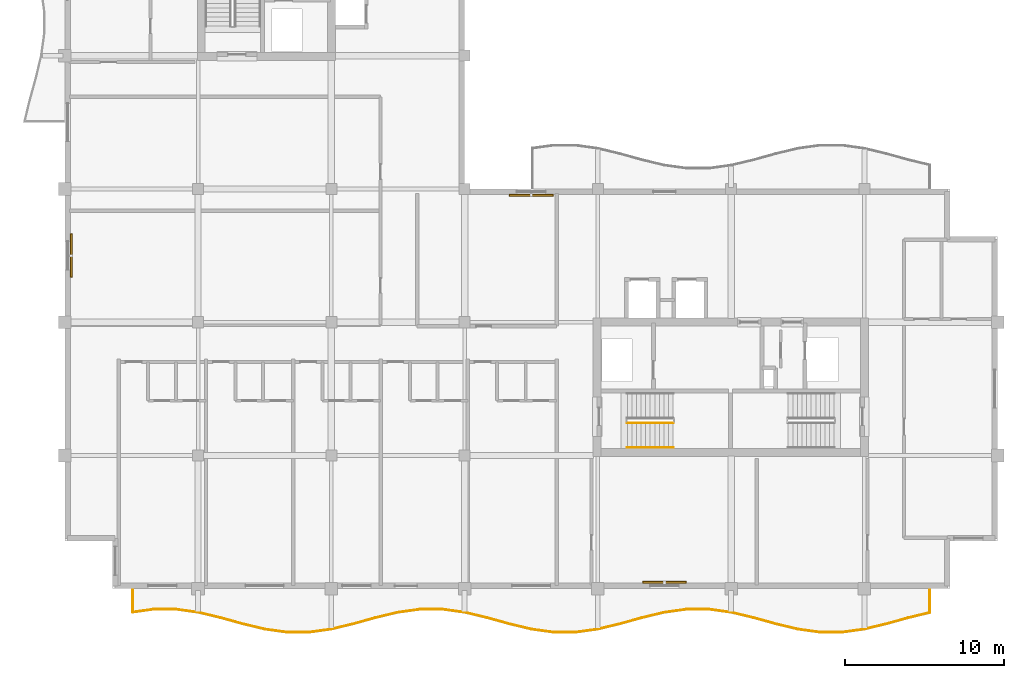
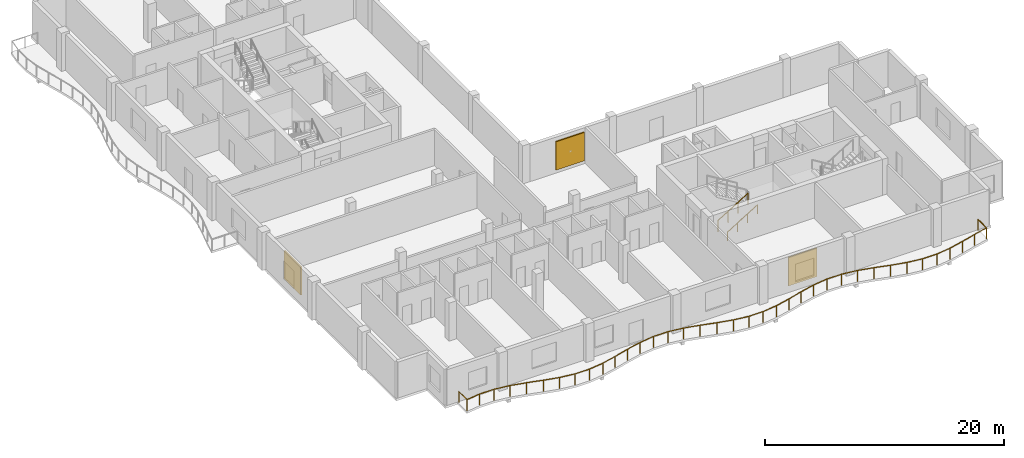
# One storey, part 10 of 12: 3 railings, 3 shading devices.
"""IFC4 building model written with IfcOpenShell, lengths in metres."""

import ifcopenshell
import ifcopenshell.guid

model = None  # the IFC model being written
_history = None  # IfcOwnerHistory: only IFC2X3 demands one
_inside = {}  # id of a spatial element -> (the spatial element, [elements in it])
_under = {}  # id of a project, library or spatial element -> (it, [spatial elements below it])
_declared = {}  # id of a project -> (the project, [libraries it declares])
_typed = {}  # id of a type object -> (the type object, [elements of that type])
_made_of = {}  # id of a material, layer set ... -> (it, [elements and type objects made of it])


def new_model(schema):
    """Start an empty IFC model of exactly this schema.

    Asked for "IFC4X3", IfcOpenShell would pick the latest addendum, in which some entities
    have other attributes; the version numbers below select the first issue.
    IFC2X3 requires an IfcOwnerHistory on every rooted entity: one is made here for all.
    """
    global model, _history
    if schema == "IFC4X3":
        model = ifcopenshell.file(schema_version=(4, 3, 0, 0))
    else:
        model = ifcopenshell.file(schema=schema)
    _inside.clear()
    _under.clear()
    _declared.clear()
    _typed.clear()
    _made_of.clear()
    _history = None
    if model.schema == "IFC2X3":
        org = make("IfcOrganization", Name="unknown")
        user = make(
            "IfcPersonAndOrganization",
            ThePerson=make("IfcPerson", FamilyName="unknown"),
            TheOrganization=org,
        )
        app = make(
            "IfcApplication",
            ApplicationDeveloper=org,
            Version="unknown",
            ApplicationFullName="unknown",
            ApplicationIdentifier="unknown",
        )
        _history = make(
            "IfcOwnerHistory",
            OwningUser=user,
            OwningApplication=app,
            ChangeAction="ADDED",
            CreationDate=0,
        )
    return model


def make(cls, **values):
    """One entity of the class cls with the attributes given. An attribute that is None is left unset."""
    return model.create_entity(
        cls, **{name: value for name, value in values.items() if value is not None}
    )


def rooted(cls, **values):
    """An entity with a GlobalId (a new one), such as an element, a storey or a relation."""
    return make(cls, GlobalId=ifcopenshell.guid.new(), OwnerHistory=_history, **values)


def si_unit(unit_type, name, prefix=None):
    """IfcSIUnit, for example si_unit("LENGTHUNIT", "METRE", prefix="MILLI")."""
    return make("IfcSIUnit", UnitType=unit_type, Prefix=prefix, Name=name)


def assignment(units):
    """IfcUnitAssignment: the units of a project."""
    return None if units is None else make("IfcUnitAssignment", Units=units)


def point(xyz):
    """IfcCartesianPoint."""
    return None if xyz is None else make("IfcCartesianPoint", Coordinates=xyz)


def direction(xyz):
    """IfcDirection."""
    return None if xyz is None else make("IfcDirection", DirectionRatios=xyz)


def frame(location, z_axis=None, x_axis=None):
    """IfcAxis2Placement3D, a coordinate frame: its origin and axes. An axis left out is left unset."""
    return make(
        "IfcAxis2Placement3D",
        Location=point(location),
        Axis=direction(z_axis),
        RefDirection=direction(x_axis),
    )


def frame_2d(location, x_axis=None):
    """IfcAxis2Placement2D, a coordinate frame in the plane: its origin and x axis."""
    return make(
        "IfcAxis2Placement2D", Location=point(location), RefDirection=direction(x_axis)
    )


def origin():
    """The frame at (0, 0, 0) with its axes left unset."""
    return frame((0.0, 0.0, 0.0))


def origin_2d():
    """The frame at (0, 0) in the plane with its x axis left unset."""
    return frame_2d((0.0, 0.0))


def place(relative_to, where):
    """IfcLocalPlacement: puts the frame where relative to a parent placement (None: the world)."""
    return make(
        "IfcLocalPlacement", PlacementRelTo=relative_to, RelativePlacement=where
    )


def context(
    kind, dimensions, precision=None, world=None, true_north=None, identifier=None
):
    """IfcGeometricRepresentationContext, for example the 3D "Model" context."""
    return make(
        "IfcGeometricRepresentationContext",
        ContextIdentifier=identifier,
        ContextType=kind,
        CoordinateSpaceDimension=dimensions,
        Precision=precision,
        WorldCoordinateSystem=world,
        TrueNorth=true_north,
    )


def subcontext(parent, identifier, kind, view, scale=None):
    """IfcGeometricRepresentationSubContext, for example "Body" below "Model"."""
    return make(
        "IfcGeometricRepresentationSubContext",
        ContextIdentifier=identifier,
        ContextType=kind,
        ParentContext=parent,
        TargetScale=scale,
        TargetView=view,
    )


def project(units=None, contexts=None):
    """IfcProject with its units and contexts."""
    return rooted(
        "IfcProject",
        Name="project",
        RepresentationContexts=contexts,
        UnitsInContext=assignment(units),
    )


def spatial(cls, under=None, at=None, **own):
    """A site, building, storey or space (cls), placed at a placement, below another one or the project."""
    s = rooted(cls, ObjectPlacement=at, **own)
    if under is not None:
        _under.setdefault(under.id(), (under, []))[1].append(s)
    return s


def profile(cls, at=None, kind="AREA", **sizes):
    """A parametric profile (cls). Its sizes go by their IFC names, for example OverallWidth=200.0."""
    return make(cls, ProfileType=kind, Position=at, **sizes)


def rectangle(**sizes):
    """IfcRectangleProfileDef."""
    return profile("IfcRectangleProfileDef", **sizes)


def circle(**sizes):
    """IfcCircleProfileDef."""
    return profile("IfcCircleProfileDef", **sizes)


def extrude(swept, where, along, depth):
    """IfcExtrudedAreaSolid: the profile swept, set in the frame where, extruded along a direction by depth."""
    return make(
        "IfcExtrudedAreaSolid",
        SweptArea=swept,
        Position=where,
        ExtrudedDirection=direction(along),
        Depth=depth,
    )


def shape(context_of_items, identifier, shape_type, items):
    """IfcShapeRepresentation: the items that make up one representation, for example the "Body"."""
    return make(
        "IfcShapeRepresentation",
        ContextOfItems=context_of_items,
        RepresentationIdentifier=identifier,
        RepresentationType=shape_type,
        Items=items,
    )


def material(Name=None, Category=None):
    """IfcMaterial."""
    return make("IfcMaterial", Name=Name, Category=Category)


def layer(
    of_material, thickness, ventilated=None, Name=None, Category=None, Priority=None
):
    """IfcMaterialLayer: one layer of a wall or slab, of a material (None: an air gap)."""
    return make(
        "IfcMaterialLayer",
        Material=of_material,
        LayerThickness=thickness,
        IsVentilated=ventilated,
        Name=Name,
        Category=Category,
        Priority=Priority,
    )


def layer_set(layers, Name=None):
    """IfcMaterialLayerSet."""
    return make("IfcMaterialLayerSet", MaterialLayers=layers, LayerSetName=Name)


def made_of(thing, what):
    """Note that an element or type object is made of a material, layer set ...; save() writes the relation."""
    if what is not None:
        _made_of.setdefault(what.id(), (what, []))[1].append(thing)
    return thing


def type_object(cls, material=None, **own):
    """A type object (cls), such as IfcWallType, which elements share."""
    return made_of(rooted(cls, **own), material)


def element(
    cls,
    number,
    at=None,
    inside=None,
    cuts=None,
    type_object=None,
    material=None,
    context=None,
    identifier="Body",
    shape_type=None,
    held_by="IfcProductDefinitionShape",
    body=None,
    shapes=None,
    **own,
):
    """One element of the class cls, such as IfcWall. Its Tag is "e" and its number.

    at: its placement. inside: the storey or other place that contains it. cuts: it is an
    opening in that element (IfcRelVoidsElement). A single representation is given by context,
    identifier, shape_type and body (its items); several are given by shapes. held_by: the class
    of the entity that holds the representations. save() writes the other relations.
    """
    e = rooted(cls, Tag="e%d" % number, ObjectPlacement=at, **own)
    if body is not None:
        shapes = [shape(context, identifier, shape_type, body)]
    if shapes is not None:
        e.Representation = make(held_by, Representations=shapes)
    if inside is not None:
        _inside.setdefault(inside.id(), (inside, []))[1].append(e)
    if cuts is not None:
        rooted(
            "IfcRelVoidsElement", RelatingBuildingElement=cuts, RelatedOpeningElement=e
        )
    if type_object is not None:
        _typed.setdefault(type_object.id(), (type_object, []))[1].append(e)
    return made_of(e, material)


def aggregate(whole, parts):
    """IfcRelAggregates: a whole, such as a stair, and the parts it consists of."""
    return rooted("IfcRelAggregates", RelatingObject=whole, RelatedObjects=parts)


def save(model, path):
    """Write the relations noted so far, then the file.

    IfcRelAggregates (storeys below a building ...), IfcRelContainedInSpatialStructure (elements
    in a storey), IfcRelDefinesByType, IfcRelAssociatesMaterial and IfcRelDeclares: one each for
    every whole, place, type object, material and project.
    """
    for whole, parts in _under.values():
        aggregate(whole, parts)
    for where, things in _inside.values():
        rooted(
            "IfcRelContainedInSpatialStructure",
            RelatedElements=things,
            RelatingStructure=where,
        )
    for kind, things in _typed.values():
        rooted("IfcRelDefinesByType", RelatedObjects=things, RelatingType=kind)
    for what, things in _made_of.values():
        rooted("IfcRelAssociatesMaterial", RelatedObjects=things, RelatingMaterial=what)
    for by, libraries in _declared.values():
        rooted("IfcRelDeclares", RelatingContext=by, RelatedDefinitions=libraries)
    model.write(path)


model = new_model("IFC4")

# Units and contexts
model_context = context("Model", 3, precision=1e-05, world=origin(), true_north=direction((0.0, 1.0)))
body_context = subcontext(model_context, "Body", "Model", "MODEL_VIEW")
ifc_project = project(units=[si_unit("LENGTHUNIT", "METRE"), si_unit("AREAUNIT", "SQUARE_METRE"), si_unit("VOLUMEUNIT", "CUBIC_METRE"), si_unit("PLANEANGLEUNIT", "RADIAN"), si_unit("MASSUNIT", "GRAM", prefix="KILO")], contexts=[model_context])

# Site, building, storey
site_placement = place(None, origin())
site = spatial("IfcSite", under=ifc_project, at=site_placement, CompositionType="ELEMENT")
building_placement = place(site_placement, origin())
building = spatial("IfcBuilding", under=site, at=building_placement, Name="Koriwani Terraces Tower", CompositionType="ELEMENT")
storey_placement = place(building_placement, frame((0.0, 0.0, 351.5)))
storey = spatial("IfcBuildingStorey", under=building, at=storey_placement, Name="L87", CompositionType="ELEMENT", Elevation=351.5)

# Railings
ifc_material_1 = material(Name="Steel ASTM A572 Grade 50", Category="steel")
railing_type_1 = type_object("IfcRailingType", Name="GUARD_BALUSTRADE_1150", PredefinedType="BALUSTRADE", material=ifc_material_1)
railing_1_placement = place(storey_placement, frame((12.679931640625, 8.320068359375, 0.0)))
element("IfcRailing", 1, at=railing_1_placement, inside=storey, type_object=railing_type_1, Name="L87 Balcony Perimeter Safety Balustrade (S)", PredefinedType="BALUSTRADE", context=body_context, shape_type="SweptSolid", body=[
    extrude(circle(Radius=0.02392578125, at=origin_2d()), frame((0.0, 0.0, 1.1259765625), z_axis=(0.0, -1.0, 0.0), x_axis=(1.0, 0.0, 0.0)), (0.0, 0.0, 1.0), 1.39794921875),
    extrude(circle(Radius=0.02392578125, at=origin_2d()), frame((0.0, -1.39794921875, 1.1259765625), z_axis=(0.99056178386, 0.137066963034, 0.0), x_axis=(-0.137066963034, 0.99056178386, 0.0)), (0.0, 0.0, 1.0), 1.326904296875),
    extrude(circle(Radius=0.02392578125, at=origin_2d()), frame((1.314453125, -1.216064453125, 1.1259765625), z_axis=(1.0, 0.0, 0.0), x_axis=(0.0, 1.0, 0.0)), (0.0, 0.0, 1.0), 1.4111328125),
    extrude(circle(Radius=0.02392578125, at=origin_2d()), frame((2.7255859375, -1.216064453125, 1.1259765625), z_axis=(0.990531206111, -0.137287762455, 0.0), x_axis=(0.137287762455, 0.990531206111, 0.0)), (0.0, 0.0, 1.0), 1.422607421875),
    extrude(circle(Radius=0.02392578125, at=origin_2d()), frame((4.134765625, -1.411376953125, 1.1259765625), z_axis=(0.972404167631, -0.233302667738, 0.0), x_axis=(0.233302667738, 0.972404167631, 0.0)), (0.0, 0.0, 1.0), 1.445068359375),
    extrude(circle(Radius=0.02392578125, at=origin_2d()), frame((5.5400390625, -1.74853515625, 1.1259765625), z_axis=(0.963650193341, -0.26716718525, 0.0), x_axis=(0.26716718525, 0.963650193341, 0.0)), (0.0, 0.0, 1.0), 1.452880859375),
    extrude(circle(Radius=0.02392578125, at=origin_2d()), frame((6.940185546875, -2.13671875, 1.1259765625), z_axis=(0.972353303141, -0.233514568862, 0.0), x_axis=(0.233514568862, 0.972353303141, 0.0)), (0.0, 0.0, 1.0), 1.434326171875),
    extrude(circle(Radius=0.02392578125, at=origin_2d()), frame((8.3349609375, -2.4716796875, 1.1259765625), z_axis=(0.990518583157, -0.137378806302, 0.0), x_axis=(0.137378806302, 0.990518583157, 0.0)), (0.0, 0.0, 1.0), 1.404052734375),
    extrude(circle(Radius=0.02392578125, at=origin_2d()), frame((9.7255859375, -2.66455078125, 1.1259765625), z_axis=(1.0, 0.0, 0.0), x_axis=(0.0, 1.0, 0.0)), (0.0, 0.0, 1.0), 1.388916015625),
    extrude(circle(Radius=0.02392578125, at=origin_2d()), frame((11.114501953125, -2.66455078125, 1.1259765625), z_axis=(0.990518583157, 0.137378806302, 0.0), x_axis=(-0.137378806302, 0.990518583157, 0.0)), (0.0, 0.0, 1.0), 1.404052734375),
    extrude(circle(Radius=0.02392578125, at=origin_2d()), frame((12.505126953125, -2.4716796875, 1.1259765625), z_axis=(0.972362581689, 0.23347592966, 0.0), x_axis=(-0.23347592966, 0.972362581689, 0.0)), (0.0, 0.0, 1.0), 1.4345703125),
    extrude(circle(Radius=0.02392578125, at=origin_2d()), frame((13.900146484375, -2.13671875, 1.1259765625), z_axis=(0.963638196753, 0.267210452187, 0.0), x_axis=(-0.267210452187, 0.963638196753, 0.0)), (0.0, 0.0, 1.0), 1.45263671875),
    extrude(circle(Radius=0.02392578125, at=origin_2d()), frame((15.300048828125, -1.74853515625, 1.1259765625), z_axis=(0.972404167631, 0.233302667738, 0.0), x_axis=(-0.233302667738, 0.972404167631, 0.0)), (0.0, 0.0, 1.0), 1.445068359375),
    extrude(circle(Radius=0.02392578125, at=origin_2d()), frame((16.705322265625, -1.411376953125, 1.1259765625), z_axis=(0.990531206111, 0.137287762455, 0.0), x_axis=(-0.137287762455, 0.990531206111, 0.0)), (0.0, 0.0, 1.0), 1.422607421875),
    extrude(circle(Radius=0.02392578125, at=origin_2d()), frame((18.114501953125, -1.216064453125, 1.1259765625), z_axis=(1.0, 0.0, 0.0), x_axis=(0.0, 1.0, 0.0)), (0.0, 0.0, 1.0), 1.4111328125),
    extrude(circle(Radius=0.02392578125, at=origin_2d()), frame((19.525634765625, -1.216064453125, 1.1259765625), z_axis=(0.990531206111, -0.137287762455, 0.0), x_axis=(0.137287762455, 0.990531206111, 0.0)), (0.0, 0.0, 1.0), 1.422607421875),
    extrude(circle(Radius=0.02392578125, at=origin_2d()), frame((20.934814453125, -1.411376953125, 1.1259765625), z_axis=(0.972404167631, -0.233302667738, 0.0), x_axis=(0.233302667738, 0.972404167631, 0.0)), (0.0, 0.0, 1.0), 1.445068359375),
    extrude(circle(Radius=0.02392578125, at=origin_2d()), frame((22.340087890625, -1.74853515625, 1.1259765625), z_axis=(0.963638196753, -0.267210452187, 0.0), x_axis=(0.267210452187, 0.963638196753, 0.0)), (0.0, 0.0, 1.0), 1.45263671875),
    extrude(circle(Radius=0.02392578125, at=origin_2d()), frame((23.739990234375, -2.13671875, 1.1259765625), z_axis=(0.972362581689, -0.23347592966, 0.0), x_axis=(0.23347592966, 0.972362581689, 0.0)), (0.0, 0.0, 1.0), 1.4345703125),
    extrude(circle(Radius=0.02392578125, at=origin_2d()), frame((25.135009765625, -2.4716796875, 1.1259765625), z_axis=(0.990518583157, -0.137378806302, 0.0), x_axis=(0.137378806302, 0.990518583157, 0.0)), (0.0, 0.0, 1.0), 1.404052734375),
    extrude(circle(Radius=0.02392578125, at=origin_2d()), frame((26.525634765625, -2.66455078125, 1.1259765625), z_axis=(1.0, 0.0, 0.0), x_axis=(0.0, 1.0, 0.0)), (0.0, 0.0, 1.0), 1.388916015625),
    extrude(circle(Radius=0.02392578125, at=origin_2d()), frame((27.91455078125, -2.66455078125, 1.1259765625), z_axis=(0.990518583157, 0.137378806302, 0.0), x_axis=(-0.137378806302, 0.990518583157, 0.0)), (0.0, 0.0, 1.0), 1.404052734375),
    extrude(circle(Radius=0.02392578125, at=origin_2d()), frame((29.30517578125, -2.4716796875, 1.1259765625), z_axis=(0.972353303141, 0.233514568862, 0.0), x_axis=(-0.233514568862, 0.972353303141, 0.0)), (0.0, 0.0, 1.0), 1.434326171875),
    extrude(circle(Radius=0.02392578125, at=origin_2d()), frame((30.699951171875, -2.13671875, 1.1259765625), z_axis=(0.963650193341, 0.26716718525, 0.0), x_axis=(-0.26716718525, 0.963650193341, 0.0)), (0.0, 0.0, 1.0), 1.452880859375),
    extrude(circle(Radius=0.02392578125, at=origin_2d()), frame((32.10009765625, -1.74853515625, 1.1259765625), z_axis=(0.972404167631, 0.233302667738, 0.0), x_axis=(-0.233302667738, 0.972404167631, 0.0)), (0.0, 0.0, 1.0), 1.445068359375),
    extrude(circle(Radius=0.02392578125, at=origin_2d()), frame((33.50537109375, -1.411376953125, 1.1259765625), z_axis=(0.990531206111, 0.137287762455, 0.0), x_axis=(-0.137287762455, 0.990531206111, 0.0)), (0.0, 0.0, 1.0), 1.422607421875),
    extrude(circle(Radius=0.02392578125, at=origin_2d()), frame((34.91455078125, -1.216064453125, 1.1259765625), z_axis=(1.0, 0.0, 0.0), x_axis=(0.0, 1.0, 0.0)), (0.0, 0.0, 1.0), 1.4111328125),
    extrude(circle(Radius=0.02392578125, at=origin_2d()), frame((36.32568359375, -1.216064453125, 1.1259765625), z_axis=(0.990531206111, -0.137287762455, 0.0), x_axis=(0.137287762455, 0.990531206111, 0.0)), (0.0, 0.0, 1.0), 1.422607421875),
    extrude(circle(Radius=0.02392578125, at=origin_2d()), frame((37.73486328125, -1.411376953125, 1.1259765625), z_axis=(0.972404167631, -0.233302667738, 0.0), x_axis=(0.233302667738, 0.972404167631, 0.0)), (0.0, 0.0, 1.0), 1.445068359375),
    extrude(circle(Radius=0.02392578125, at=origin_2d()), frame((39.14013671875, -1.74853515625, 1.1259765625), z_axis=(0.963638196753, -0.267210452187, 0.0), x_axis=(0.267210452187, 0.963638196753, 0.0)), (0.0, 0.0, 1.0), 1.45263671875),
    extrude(circle(Radius=0.02392578125, at=origin_2d()), frame((40.5400390625, -2.13671875, 1.1259765625), z_axis=(0.972362581689, -0.23347592966, 0.0), x_axis=(0.23347592966, 0.972362581689, 0.0)), (0.0, 0.0, 1.0), 1.4345703125),
    extrude(circle(Radius=0.02392578125, at=origin_2d()), frame((41.93505859375, -2.4716796875, 1.1259765625), z_axis=(0.990518583157, -0.137378806302, 0.0), x_axis=(0.137378806302, 0.990518583157, 0.0)), (0.0, 0.0, 1.0), 1.404052734375),
    extrude(circle(Radius=0.02392578125, at=origin_2d()), frame((43.32568359375, -2.66455078125, 1.1259765625), z_axis=(1.0, 0.0, 0.0), x_axis=(0.0, 1.0, 0.0)), (0.0, 0.0, 1.0), 1.388916015625),
    extrude(circle(Radius=0.02392578125, at=origin_2d()), frame((44.714599609375, -2.66455078125, 1.1259765625), z_axis=(0.990518583157, 0.137378806302, 0.0), x_axis=(-0.137378806302, 0.990518583157, 0.0)), (0.0, 0.0, 1.0), 1.404052734375),
    extrude(circle(Radius=0.02392578125, at=origin_2d()), frame((46.105224609375, -2.4716796875, 1.1259765625), z_axis=(0.972353303141, 0.233514568862, 0.0), x_axis=(-0.233514568862, 0.972353303141, 0.0)), (0.0, 0.0, 1.0), 1.434326171875),
    extrude(circle(Radius=0.02392578125, at=origin_2d()), frame((47.5, -2.13671875, 1.1259765625), z_axis=(0.963650193341, 0.26716718525, 0.0), x_axis=(-0.26716718525, 0.963650193341, 0.0)), (0.0, 0.0, 1.0), 1.452880859375),
    extrude(circle(Radius=0.02392578125, at=origin_2d()), frame((48.900146484375, -1.74853515625, 1.1259765625), z_axis=(0.972351908849, 0.233520374611, 0.0), x_axis=(-0.233520374611, 0.972351908849, 0.0)), (0.0, 0.0, 1.0), 1.3779296875),
    extrude(circle(Radius=0.02392578125, at=origin_2d()), frame((50.239990234375, -1.4267578125, 1.1259765625), z_axis=(0.0, 1.0, 0.0), x_axis=(-1.0, 0.0, 0.0)), (0.0, 0.0, 1.0), 1.4267578125),
    extrude(circle(Radius=0.02099609375, at=origin_2d()), origin(), (0.0, 0.0, 1.0), 1.101806640625),
    extrude(circle(Radius=0.02099609375, at=origin_2d()), frame((0.0, -1.39794921875, 0.0)), (0.0, 0.0, 1.0), 1.101806640625),
    extrude(circle(Radius=0.02099609375, at=origin_2d()), frame((1.314453125, -1.216064453125, 0.0)), (0.0, 0.0, 1.0), 1.101806640625),
    extrude(circle(Radius=0.02099609375, at=origin_2d()), frame((2.7255859375, -1.216064453125, 0.0)), (0.0, 0.0, 1.0), 1.101806640625),
    extrude(circle(Radius=0.02099609375, at=origin_2d()), frame((4.134765625, -1.411376953125, 0.0)), (0.0, 0.0, 1.0), 1.101806640625),
    extrude(circle(Radius=0.02099609375, at=origin_2d()), frame((5.5400390625, -1.74853515625, 0.0)), (0.0, 0.0, 1.0), 1.101806640625),
    extrude(circle(Radius=0.02099609375, at=origin_2d()), frame((6.940185546875, -2.13671875, 0.0)), (0.0, 0.0, 1.0), 1.101806640625),
    extrude(circle(Radius=0.02099609375, at=origin_2d()), frame((8.3349609375, -2.4716796875, 0.0)), (0.0, 0.0, 1.0), 1.101806640625),
    extrude(circle(Radius=0.02099609375, at=origin_2d()), frame((9.7255859375, -2.66455078125, 0.0)), (0.0, 0.0, 1.0), 1.101806640625),
    extrude(circle(Radius=0.02099609375, at=origin_2d()), frame((11.114501953125, -2.66455078125, 0.0)), (0.0, 0.0, 1.0), 1.101806640625),
    extrude(circle(Radius=0.02099609375, at=origin_2d()), frame((12.505126953125, -2.4716796875, 0.0)), (0.0, 0.0, 1.0), 1.101806640625),
    extrude(circle(Radius=0.02099609375, at=origin_2d()), frame((13.900146484375, -2.13671875, 0.0)), (0.0, 0.0, 1.0), 1.101806640625),
    extrude(circle(Radius=0.02099609375, at=origin_2d()), frame((15.300048828125, -1.74853515625, 0.0)), (0.0, 0.0, 1.0), 1.101806640625),
    extrude(circle(Radius=0.02099609375, at=origin_2d()), frame((16.705322265625, -1.411376953125, 0.0)), (0.0, 0.0, 1.0), 1.101806640625),
    extrude(circle(Radius=0.02099609375, at=origin_2d()), frame((18.114501953125, -1.216064453125, 0.0)), (0.0, 0.0, 1.0), 1.101806640625),
    extrude(circle(Radius=0.02099609375, at=origin_2d()), frame((19.525634765625, -1.216064453125, 0.0)), (0.0, 0.0, 1.0), 1.101806640625),
    extrude(circle(Radius=0.02099609375, at=origin_2d()), frame((20.934814453125, -1.411376953125, 0.0)), (0.0, 0.0, 1.0), 1.101806640625),
    extrude(circle(Radius=0.02099609375, at=origin_2d()), frame((22.340087890625, -1.74853515625, 0.0)), (0.0, 0.0, 1.0), 1.101806640625),
    extrude(circle(Radius=0.02099609375, at=origin_2d()), frame((23.739990234375, -2.13671875, 0.0)), (0.0, 0.0, 1.0), 1.101806640625),
    extrude(circle(Radius=0.02099609375, at=origin_2d()), frame((25.135009765625, -2.4716796875, 0.0)), (0.0, 0.0, 1.0), 1.101806640625),
    extrude(circle(Radius=0.02099609375, at=origin_2d()), frame((26.525634765625, -2.66455078125, 0.0)), (0.0, 0.0, 1.0), 1.101806640625),
    extrude(circle(Radius=0.02099609375, at=origin_2d()), frame((27.91455078125, -2.66455078125, 0.0)), (0.0, 0.0, 1.0), 1.101806640625),
    extrude(circle(Radius=0.02099609375, at=origin_2d()), frame((29.30517578125, -2.4716796875, 0.0)), (0.0, 0.0, 1.0), 1.101806640625),
    extrude(circle(Radius=0.02099609375, at=origin_2d()), frame((30.699951171875, -2.13671875, 0.0)), (0.0, 0.0, 1.0), 1.101806640625),
    extrude(circle(Radius=0.02099609375, at=origin_2d()), frame((32.10009765625, -1.74853515625, 0.0)), (0.0, 0.0, 1.0), 1.101806640625),
    extrude(circle(Radius=0.02099609375, at=origin_2d()), frame((33.50537109375, -1.411376953125, 0.0)), (0.0, 0.0, 1.0), 1.101806640625),
    extrude(circle(Radius=0.02099609375, at=origin_2d()), frame((34.91455078125, -1.216064453125, 0.0)), (0.0, 0.0, 1.0), 1.101806640625),
    extrude(circle(Radius=0.02099609375, at=origin_2d()), frame((36.32568359375, -1.216064453125, 0.0)), (0.0, 0.0, 1.0), 1.101806640625),
    extrude(circle(Radius=0.02099609375, at=origin_2d()), frame((37.73486328125, -1.411376953125, 0.0)), (0.0, 0.0, 1.0), 1.101806640625),
    extrude(circle(Radius=0.02099609375, at=origin_2d()), frame((39.14013671875, -1.74853515625, 0.0)), (0.0, 0.0, 1.0), 1.101806640625),
    extrude(circle(Radius=0.02099609375, at=origin_2d()), frame((40.5400390625, -2.13671875, 0.0)), (0.0, 0.0, 1.0), 1.101806640625),
    extrude(circle(Radius=0.02099609375, at=origin_2d()), frame((41.93505859375, -2.4716796875, 0.0)), (0.0, 0.0, 1.0), 1.101806640625),
    extrude(circle(Radius=0.02099609375, at=origin_2d()), frame((43.32568359375, -2.66455078125, 0.0)), (0.0, 0.0, 1.0), 1.101806640625),
    extrude(circle(Radius=0.02099609375, at=origin_2d()), frame((44.714599609375, -2.66455078125, 0.0)), (0.0, 0.0, 1.0), 1.101806640625),
    extrude(circle(Radius=0.02099609375, at=origin_2d()), frame((46.105224609375, -2.4716796875, 0.0)), (0.0, 0.0, 1.0), 1.101806640625),
    extrude(circle(Radius=0.02099609375, at=origin_2d()), frame((47.5, -2.13671875, 0.0)), (0.0, 0.0, 1.0), 1.101806640625),
    extrude(circle(Radius=0.02099609375, at=origin_2d()), frame((48.900146484375, -1.74853515625, 0.0)), (0.0, 0.0, 1.0), 1.101806640625),
    extrude(circle(Radius=0.02099609375, at=origin_2d()), frame((50.239990234375, -1.4267578125, 0.0)), (0.0, 0.0, 1.0), 1.101806640625),
    extrude(circle(Radius=0.02099609375, at=origin_2d()), frame((50.239990234375, 0.0, 0.0)), (0.0, 0.0, 1.0), 1.101806640625),
])
railing_type_2 = type_object("IfcRailingType", Name="GUARD_STAIR_WELL_1120", PredefinedType="GUARDRAIL", material=ifc_material_1)
railing_2_placement = place(storey_placement, frame((43.85009765625, 18.85009765625, 0.17724609375)))
element("IfcRailing", 2, at=railing_2_placement, inside=storey, type_object=railing_type_2, Name="L87 ST-E1 stair guard 1", PredefinedType="GUARDRAIL", context=body_context, shape_type="SweptSolid", body=[
    extrude(circle(Radius=0.02392578125, at=origin_2d()), frame((0.0, 0.0, 1.1259765625), z_axis=(0.853210801645, 0.0, 0.521566225858), x_axis=(0.0, 1.0, 0.0)), (0.0, 0.0, 1.0), 3.39892578125),
    extrude(circle(Radius=0.02099609375, at=origin_2d()), origin(), (0.0, 0.0, 1.0), 1.101806640625),
    extrude(circle(Radius=0.02099609375, at=origin_2d()), frame((0.966552734375, 0.0, 0.5908203125)), (0.0, 0.0, 1.0), 1.101806640625),
    extrude(circle(Radius=0.02099609375, at=origin_2d()), frame((1.933349609375, 0.0, 1.181884765625)), (0.0, 0.0, 1.0), 1.101806640625),
    extrude(circle(Radius=0.02099609375, at=origin_2d()), frame((2.89990234375, 0.0, 1.772705078125)), (0.0, 0.0, 1.0), 1.101806640625),
])
railing_type_3 = type_object("IfcRailingType", Name="HANDRAIL_STAIR_920", PredefinedType="HANDRAIL", material=ifc_material_1)
railing_3_placement = place(storey_placement, frame((43.85009765625, 17.300048828125, 0.17724609375)))
element("IfcRailing", 3, at=railing_3_placement, inside=storey, type_object=railing_type_3, Name="L87 ST-E1 stair handrail 1", PredefinedType="HANDRAIL", context=body_context, shape_type="SweptSolid", body=[
    extrude(circle(Radius=0.02392578125, at=origin_2d()), frame((0.0, 0.0, 0.8759765625), z_axis=(0.853210801645, 0.0, 0.521566225858), x_axis=(0.0, 1.0, 0.0)), (0.0, 0.0, 1.0), 3.39892578125),
    extrude(circle(Radius=0.02099609375, at=origin_2d()), origin(), (0.0, 0.0, 1.0), 0.851806640625),
    extrude(circle(Radius=0.02099609375, at=origin_2d()), frame((0.966552734375, 0.0, 0.5908203125)), (0.0, 0.0, 1.0), 0.851806640625),
    extrude(circle(Radius=0.02099609375, at=origin_2d()), frame((1.933349609375, 0.0, 1.181884765625)), (0.0, 0.0, 1.0), 0.851806640625),
    extrude(circle(Radius=0.02099609375, at=origin_2d()), frame((2.89990234375, 0.0, 1.772705078125)), (0.0, 0.0, 1.0), 0.851806640625),
])

# Shading devices
ifc_material_2 = material(Name="Extruded Terracotta Clay", Category="masonry")
ifc_layer = layer(ifc_material_2, 0.1201171875, Name="Extruded Terracotta Clay")
ifc_layer_set = layer_set([ifc_layer], Name="Extruded Terracotta Clay")
shading_device_type = type_object("IfcShadingDeviceType", Name="TERRACOTTA_BAGUETTE_SCREEN_2800", PredefinedType="USERDEFINED", material=ifc_layer_set)
for number, where, z_axis, x_axis, name in (
    (4, (8.804931640625, 29.39990234375, 0.385009765625), (0.0, 0.0, 1.0), (0.0, 1.0, 0.0), "L87 Extruded Terracotta Baguette Screen (W-6)"),
    (5, (37.800048828125, 33.195068359375, 0.385009765625), (0.0, 0.0, 1.0), (1.0, 0.0, 0.0), "L87 Extruded Terracotta Baguette Screen (NE-2)"),
    (6, (46.199951171875, 8.804931640625, 0.385009765625), (0.0, 0.0, 1.0), (-1.0, 0.0, 0.0), "L87 Extruded Terracotta Baguette Screen (S-12)"),
):
    element("IfcShadingDevice", number, at=place(storey_placement, frame(where, z_axis=z_axis, x_axis=x_axis)), inside=storey, type_object=shading_device_type, Name=name, ObjectType="BAGUETTE", PredefinedType="USERDEFINED", context=body_context, shape_type="SweptSolid", body=[
        extrude(rectangle(XDim=2.760009765625, YDim=0.1201171875, at=origin_2d()), origin(), (0.0, 0.0, 1.0), 2.89990234375),
    ])

save(model, "model.ifc")
